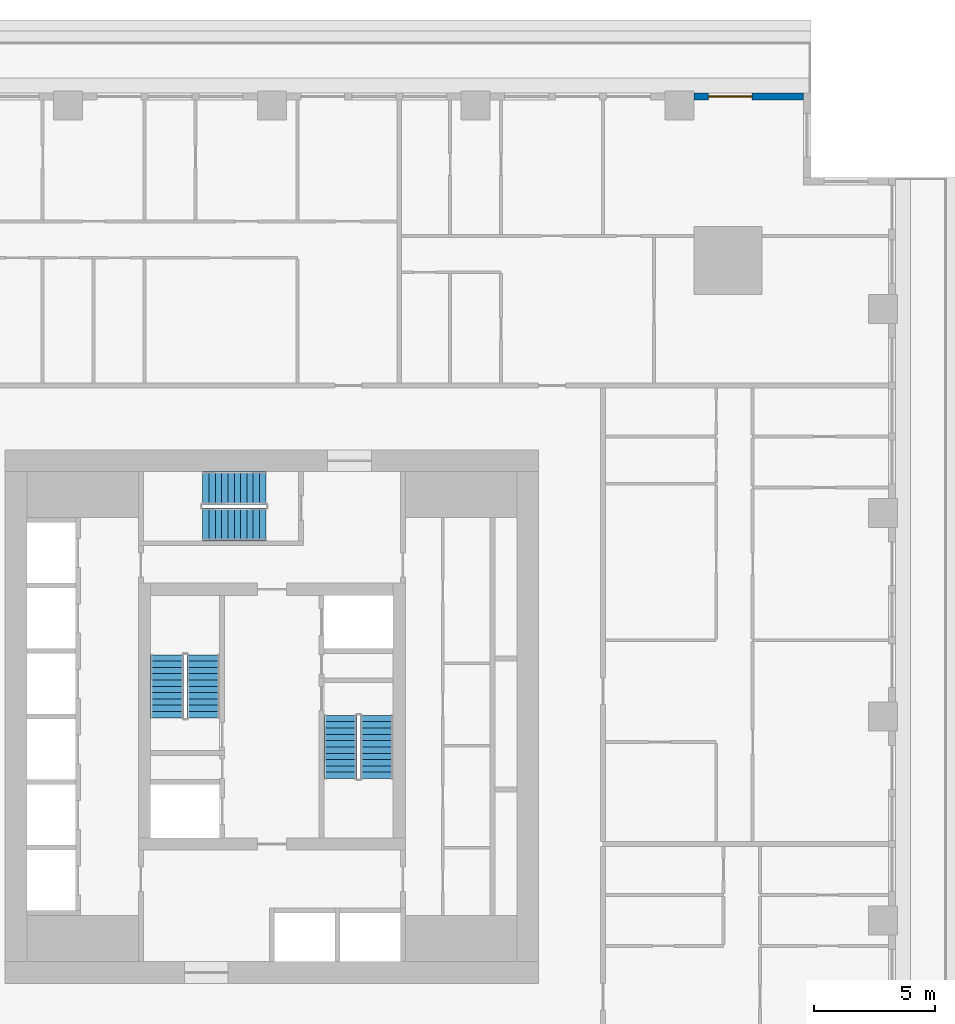
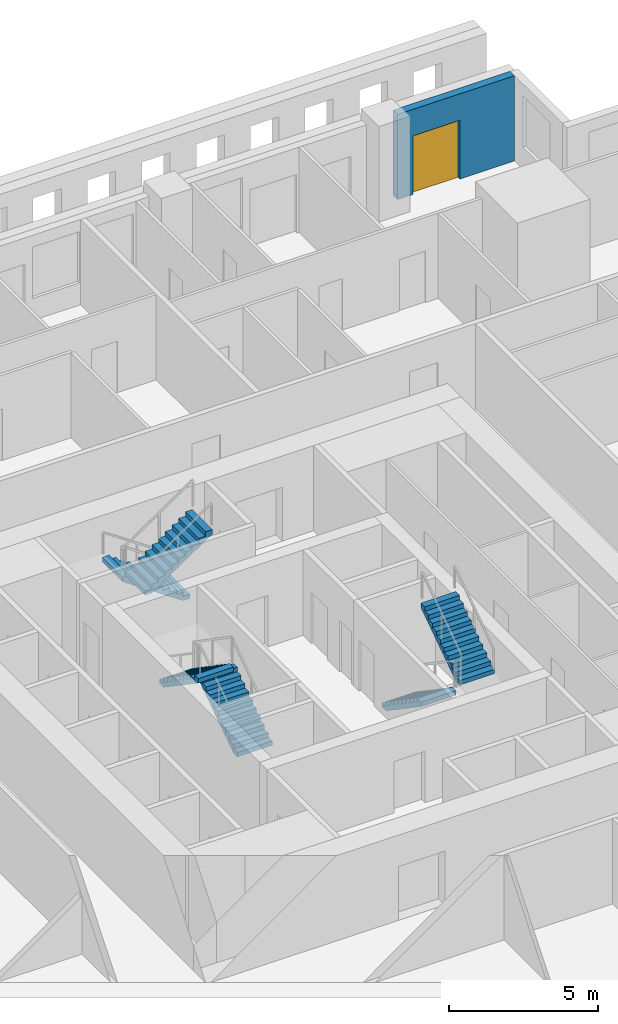
# One storey, part 10 of 15: 6 stair flights, 1 door, 1 wall, 1 opening, 3 elements without a shape of their own.
"""IFC4 building model written with IfcOpenShell, lengths in metres."""

import ifcopenshell
import ifcopenshell.guid

model = None  # the IFC model being written
_history = None  # IfcOwnerHistory: only IFC2X3 demands one
_inside = {}  # id of a spatial element -> (the spatial element, [elements in it])
_under = {}  # id of a project, library or spatial element -> (it, [spatial elements below it])
_declared = {}  # id of a project -> (the project, [libraries it declares])
_typed = {}  # id of a type object -> (the type object, [elements of that type])
_made_of = {}  # id of a material, layer set ... -> (it, [elements and type objects made of it])


def new_model(schema):
    """Start an empty IFC model of exactly this schema.

    Asked for "IFC4X3", IfcOpenShell would pick the latest addendum, in which some entities
    have other attributes; the version numbers below select the first issue.
    IFC2X3 requires an IfcOwnerHistory on every rooted entity: one is made here for all.
    """
    global model, _history
    if schema == "IFC4X3":
        model = ifcopenshell.file(schema_version=(4, 3, 0, 0))
    else:
        model = ifcopenshell.file(schema=schema)
    _inside.clear()
    _under.clear()
    _declared.clear()
    _typed.clear()
    _made_of.clear()
    _history = None
    if model.schema == "IFC2X3":
        org = make("IfcOrganization", Name="unknown")
        user = make(
            "IfcPersonAndOrganization",
            ThePerson=make("IfcPerson", FamilyName="unknown"),
            TheOrganization=org,
        )
        app = make(
            "IfcApplication",
            ApplicationDeveloper=org,
            Version="unknown",
            ApplicationFullName="unknown",
            ApplicationIdentifier="unknown",
        )
        _history = make(
            "IfcOwnerHistory",
            OwningUser=user,
            OwningApplication=app,
            ChangeAction="ADDED",
            CreationDate=0,
        )
    return model


def make(cls, **values):
    """One entity of the class cls with the attributes given. An attribute that is None is left unset."""
    return model.create_entity(
        cls, **{name: value for name, value in values.items() if value is not None}
    )


def rooted(cls, **values):
    """An entity with a GlobalId (a new one), such as an element, a storey or a relation."""
    return make(cls, GlobalId=ifcopenshell.guid.new(), OwnerHistory=_history, **values)


def si_unit(unit_type, name, prefix=None):
    """IfcSIUnit, for example si_unit("LENGTHUNIT", "METRE", prefix="MILLI")."""
    return make("IfcSIUnit", UnitType=unit_type, Prefix=prefix, Name=name)


def assignment(units):
    """IfcUnitAssignment: the units of a project."""
    return None if units is None else make("IfcUnitAssignment", Units=units)


def point(xyz):
    """IfcCartesianPoint."""
    return None if xyz is None else make("IfcCartesianPoint", Coordinates=xyz)


def direction(xyz):
    """IfcDirection."""
    return None if xyz is None else make("IfcDirection", DirectionRatios=xyz)


def frame(location, z_axis=None, x_axis=None):
    """IfcAxis2Placement3D, a coordinate frame: its origin and axes. An axis left out is left unset."""
    return make(
        "IfcAxis2Placement3D",
        Location=point(location),
        Axis=direction(z_axis),
        RefDirection=direction(x_axis),
    )


def frame_2d(location, x_axis=None):
    """IfcAxis2Placement2D, a coordinate frame in the plane: its origin and x axis."""
    return make(
        "IfcAxis2Placement2D", Location=point(location), RefDirection=direction(x_axis)
    )


def origin():
    """The frame at (0, 0, 0) with its axes left unset."""
    return frame((0.0, 0.0, 0.0))


def place(relative_to, where):
    """IfcLocalPlacement: puts the frame where relative to a parent placement (None: the world)."""
    return make(
        "IfcLocalPlacement", PlacementRelTo=relative_to, RelativePlacement=where
    )


def context(
    kind, dimensions, precision=None, world=None, true_north=None, identifier=None
):
    """IfcGeometricRepresentationContext, for example the 3D "Model" context."""
    return make(
        "IfcGeometricRepresentationContext",
        ContextIdentifier=identifier,
        ContextType=kind,
        CoordinateSpaceDimension=dimensions,
        Precision=precision,
        WorldCoordinateSystem=world,
        TrueNorth=true_north,
    )


def subcontext(parent, identifier, kind, view, scale=None):
    """IfcGeometricRepresentationSubContext, for example "Body" below "Model"."""
    return make(
        "IfcGeometricRepresentationSubContext",
        ContextIdentifier=identifier,
        ContextType=kind,
        ParentContext=parent,
        TargetScale=scale,
        TargetView=view,
    )


def project(units=None, contexts=None):
    """IfcProject with its units and contexts."""
    return rooted(
        "IfcProject",
        Name="project",
        RepresentationContexts=contexts,
        UnitsInContext=assignment(units),
    )


def spatial(cls, under=None, at=None, **own):
    """A site, building, storey or space (cls), placed at a placement, below another one or the project."""
    s = rooted(cls, ObjectPlacement=at, **own)
    if under is not None:
        _under.setdefault(under.id(), (under, []))[1].append(s)
    return s


def polyline(points):
    """IfcPolyline through the points."""
    return make("IfcPolyline", Points=[point(p) for p in points])


def profile(cls, at=None, kind="AREA", **sizes):
    """A parametric profile (cls). Its sizes go by their IFC names, for example OverallWidth=200.0."""
    return make(cls, ProfileType=kind, Position=at, **sizes)


def rectangle(**sizes):
    """IfcRectangleProfileDef."""
    return profile("IfcRectangleProfileDef", **sizes)


def outline(outer, holes=None, kind="AREA"):
    """IfcArbitraryClosedProfileDef: a profile drawn as a closed curve; with holes, ...WithVoids."""
    if holes is None:
        return make("IfcArbitraryClosedProfileDef", ProfileType=kind, OuterCurve=outer)
    return make(
        "IfcArbitraryProfileDefWithVoids",
        ProfileType=kind,
        OuterCurve=outer,
        InnerCurves=holes,
    )


def extrude(swept, where, along, depth):
    """IfcExtrudedAreaSolid: the profile swept, set in the frame where, extruded along a direction by depth."""
    return make(
        "IfcExtrudedAreaSolid",
        SweptArea=swept,
        Position=where,
        ExtrudedDirection=direction(along),
        Depth=depth,
    )


def shape(context_of_items, identifier, shape_type, items):
    """IfcShapeRepresentation: the items that make up one representation, for example the "Body"."""
    return make(
        "IfcShapeRepresentation",
        ContextOfItems=context_of_items,
        RepresentationIdentifier=identifier,
        RepresentationType=shape_type,
        Items=items,
    )


def material(Name=None, Category=None):
    """IfcMaterial."""
    return make("IfcMaterial", Name=Name, Category=Category)


def layer(
    of_material, thickness, ventilated=None, Name=None, Category=None, Priority=None
):
    """IfcMaterialLayer: one layer of a wall or slab, of a material (None: an air gap)."""
    return make(
        "IfcMaterialLayer",
        Material=of_material,
        LayerThickness=thickness,
        IsVentilated=ventilated,
        Name=Name,
        Category=Category,
        Priority=Priority,
    )


def layer_set(layers, Name=None):
    """IfcMaterialLayerSet."""
    return make("IfcMaterialLayerSet", MaterialLayers=layers, LayerSetName=Name)


def made_of(thing, what):
    """Note that an element or type object is made of a material, layer set ...; save() writes the relation."""
    if what is not None:
        _made_of.setdefault(what.id(), (what, []))[1].append(thing)
    return thing


def type_object(cls, material=None, **own):
    """A type object (cls), such as IfcWallType, which elements share."""
    return made_of(rooted(cls, **own), material)


def element(
    cls,
    number,
    at=None,
    inside=None,
    cuts=None,
    type_object=None,
    material=None,
    context=None,
    identifier="Body",
    shape_type=None,
    held_by="IfcProductDefinitionShape",
    body=None,
    shapes=None,
    **own,
):
    """One element of the class cls, such as IfcWall. Its Tag is "e" and its number.

    at: its placement. inside: the storey or other place that contains it. cuts: it is an
    opening in that element (IfcRelVoidsElement). A single representation is given by context,
    identifier, shape_type and body (its items); several are given by shapes. held_by: the class
    of the entity that holds the representations. save() writes the other relations.
    """
    e = rooted(cls, Tag="e%d" % number, ObjectPlacement=at, **own)
    if body is not None:
        shapes = [shape(context, identifier, shape_type, body)]
    if shapes is not None:
        e.Representation = make(held_by, Representations=shapes)
    if inside is not None:
        _inside.setdefault(inside.id(), (inside, []))[1].append(e)
    if cuts is not None:
        rooted(
            "IfcRelVoidsElement", RelatingBuildingElement=cuts, RelatedOpeningElement=e
        )
    if type_object is not None:
        _typed.setdefault(type_object.id(), (type_object, []))[1].append(e)
    return made_of(e, material)


def fill(opening, filler):
    """IfcRelFillsElement: the door or window that sits in an opening."""
    return rooted(
        "IfcRelFillsElement",
        RelatingOpeningElement=opening,
        RelatedBuildingElement=filler,
    )


def aggregate(whole, parts):
    """IfcRelAggregates: a whole, such as a stair, and the parts it consists of."""
    return rooted("IfcRelAggregates", RelatingObject=whole, RelatedObjects=parts)


def save(model, path):
    """Write the relations noted so far, then the file.

    IfcRelAggregates (storeys below a building ...), IfcRelContainedInSpatialStructure (elements
    in a storey), IfcRelDefinesByType, IfcRelAssociatesMaterial and IfcRelDeclares: one each for
    every whole, place, type object, material and project.
    """
    for whole, parts in _under.values():
        aggregate(whole, parts)
    for where, things in _inside.values():
        rooted(
            "IfcRelContainedInSpatialStructure",
            RelatedElements=things,
            RelatingStructure=where,
        )
    for kind, things in _typed.values():
        rooted("IfcRelDefinesByType", RelatedObjects=things, RelatingType=kind)
    for what, things in _made_of.values():
        rooted("IfcRelAssociatesMaterial", RelatedObjects=things, RelatingMaterial=what)
    for by, libraries in _declared.values():
        rooted("IfcRelDeclares", RelatingContext=by, RelatedDefinitions=libraries)
    model.write(path)


model = new_model("IFC4")

# Units and contexts
model_context = context("Model", 3, precision=1e-05, world=origin(), true_north=direction((0.0, 1.0)))
body_context = subcontext(model_context, "Body", "Model", "MODEL_VIEW")
ifc_project = project(units=[si_unit("LENGTHUNIT", "METRE"), si_unit("AREAUNIT", "SQUARE_METRE"), si_unit("VOLUMEUNIT", "CUBIC_METRE"), si_unit("PLANEANGLEUNIT", "RADIAN"), si_unit("MASSUNIT", "GRAM", prefix="KILO")], contexts=[model_context])

# Site, building, storey
site_placement = place(None, origin())
site = spatial("IfcSite", under=ifc_project, at=site_placement, CompositionType="ELEMENT")
building_placement = place(site_placement, origin())
building = spatial("IfcBuilding", under=site, at=building_placement, Name="Khepri Terraces", CompositionType="ELEMENT")
storey_placement = place(building_placement, frame((0.0, 0.0, 83.10009765625)))
storey = spatial("IfcBuildingStorey", under=building, at=storey_placement, Name="L19", CompositionType="ELEMENT", Elevation=83.10009765625)

# Wall, opening, door
ifc_material_1 = material(Name="Precast concrete C50/60 warm stone", Category="masonry")
ifc_layer = layer(ifc_material_1, 0.300048828125, Name="Precast concrete C50/60 warm stone", Category="masonry")
ifc_layer_set = layer_set([ifc_layer], Name="Precast concrete C50/60 warm stone")
wall_type = type_object("IfcWallType", Name="WL-EXT-PRECAST-300", PredefinedType="STANDARD", material=ifc_layer_set)
wall_placement = place(storey_placement, frame((21.919921875, 25.570068359375, 0.0), z_axis=(0.0, 0.0, 1.0), x_axis=(-1.0, 0.0, 0.0)))
wall = element("IfcWall", 1, at=wall_placement, inside=storey, type_object=wall_type, Name="External wall L19 N", PredefinedType="STANDARD", context=body_context, shape_type="SweptSolid", body=[
    extrude(rectangle(XDim=4.52001953125, YDim=0.300048828125, at=frame_2d((2.260009765625, 0.0))), origin(), (0.0, 0.0, 1.0), 3.47998046875),
])
opening_placement = place(wall_placement, frame((2.1201171875, 0.0, 0.0)))
opening = element("IfcOpeningElement", 2, at=opening_placement, cuts=wall, Name="Opening ED-L19-08", PredefinedType="OPENING", context=body_context, shape_type="SweptSolid", body=[
    extrude(rectangle(XDim=1.800048828125, YDim=2.39990234375, at=frame_2d((0.89990234375, 1.199951171875))), frame((0.0, 0.16015625, 0.0), z_axis=(0.0, -1.0, 0.0), x_axis=(1.0, 0.0, 0.0)), (0.0, 0.0, 1.0), 0.320068359375),
])
ifc_material_2 = material(Name="Anodised aluminium bronze glazed door", Category="aluminium")
door_type = type_object("IfcDoorType", Name="DR-BAL-SLIDE-1800x2400", OperationType="NOTDEFINED", PredefinedType="DOOR", material=ifc_material_2)
door_placement = place(opening_placement, origin())
door = element("IfcDoor", 3, at=door_placement, inside=storey, type_object=door_type, Name="Balcony door L19 N", OperationType="SLIDING_TO_RIGHT", OverallHeight=2.39990234375, OverallWidth=1.800048828125, PredefinedType="DOOR", context=body_context, shape_type="SweptSolid", body=[
    extrude(rectangle(XDim=1.800048828125, YDim=2.39990234375, at=frame_2d((0.89990234375, 1.199951171875))), frame((0.0, 0.02490234375, 0.0), z_axis=(0.0, -1.0, 0.0), x_axis=(1.0, 0.0, 0.0)), (0.0, 0.0, 1.0), 0.050048828125),
])
fill(opening, door)

# Stair, stair flights
ifc_material_3 = material(Name="Concrete C40/50", Category="concrete")
stair_type = type_object("IfcStairType", Name="STAIR-RC-22R", PredefinedType="HALF_TURN_STAIR", material=ifc_material_3)
stair_1_placement = place(storey_placement, origin())
stair_1 = element("IfcStair", 4, at=stair_1_placement, inside=storey, type_object=stair_type, Name="L19 Exit Stair ST-1", PredefinedType="HALF_TURN_STAIR")
stair_flight_type = type_object("IfcStairFlightType", Name="SFL-RC-177.3", PredefinedType="STRAIGHT", material=ifc_material_3)
stair_flight_1_placement = place(storey_placement, frame((-2.824951171875, -0.050048828125, 0.0), z_axis=(0.0, 0.0, 1.0), x_axis=(0.0, 1.0, 0.0)))
stair_flight_1 = element("IfcStairFlight", 5, at=stair_flight_1_placement, type_object=stair_flight_type, Name="ST-1 flight 1", NumberOfRisers=11, NumberOfTreads=10, PredefinedType="STRAIGHT", RiserHeight=0.177272727, TreadLength=0.26, context=body_context, shape_type="SweptSolid", body=[
    extrude(outline(polyline([(0.0, 0.0), (0.0, 0.17724609375), (0.260009765625, 0.17724609375), (0.260009765625, 0.3544921875), (0.52001953125, 0.3544921875), (0.52001953125, 0.53173828125), (0.780029296875, 0.53173828125), (0.780029296875, 0.708984375), (1.0400390625, 0.708984375), (1.0400390625, 0.886474609375), (1.300048828125, 0.886474609375), (1.300048828125, 1.063720703125), (1.56005859375, 1.063720703125), (1.56005859375, 1.240966796875), (1.820068359375, 1.240966796875), (1.820068359375, 1.418212890625), (2.080078125, 1.418212890625), (2.080078125, 1.595458984375), (2.340087890625, 1.595458984375), (2.340087890625, 1.772705078125), (2.60009765625, 1.772705078125), (2.60009765625, 1.949951171875), (2.60009765625, 1.59130859375), (0.26611328125, 0.0), (0.0, 0.0)])), frame((0.0, 0.675048828125, 0.0), z_axis=(0.0, -1.0, 0.0), x_axis=(1.0, 0.0, 0.0)), (0.0, 0.0, 1.0), 1.35009765625),
])
stair_flight_2_placement = place(storey_placement, frame((-4.324951171875, 2.550048828125, 1.949951171875), z_axis=(0.0, 0.0, 1.0), x_axis=(0.0, -1.0, 0.0)))
stair_flight_2 = element("IfcStairFlight", 6, at=stair_flight_2_placement, type_object=stair_flight_type, Name="ST-1 flight 2", NumberOfRisers=11, NumberOfTreads=10, PredefinedType="STRAIGHT", RiserHeight=0.177272727, TreadLength=0.26, context=body_context, shape_type="SweptSolid", body=[
    extrude(outline(polyline([(0.0, 0.0), (0.0, 0.17724609375), (0.260009765625, 0.17724609375), (0.260009765625, 0.3544921875), (0.52001953125, 0.3544921875), (0.52001953125, 0.53173828125), (0.780029296875, 0.53173828125), (0.780029296875, 0.708984375), (1.0400390625, 0.708984375), (1.0400390625, 0.886474609375), (1.300048828125, 0.886474609375), (1.300048828125, 1.063720703125), (1.56005859375, 1.063720703125), (1.56005859375, 1.240966796875), (1.820068359375, 1.240966796875), (1.820068359375, 1.418212890625), (2.080078125, 1.418212890625), (2.080078125, 1.595458984375), (2.340087890625, 1.595458984375), (2.340087890625, 1.772705078125), (2.60009765625, 1.772705078125), (2.60009765625, 1.949951171875), (2.60009765625, 1.59130859375), (0.26611328125, 0.0), (0.0, 0.0)])), frame((0.0, 0.675048828125, 0.0), z_axis=(0.0, -1.0, 0.0), x_axis=(1.0, 0.0, 0.0)), (0.0, 0.0, 1.0), 1.35009765625),
])
aggregate(stair_1, [stair_flight_1, stair_flight_2])

stair_2_placement = place(storey_placement, origin())
stair_2 = element("IfcStair", 7, at=stair_2_placement, inside=storey, type_object=stair_type, Name="L19 Exit Stair ST-2", PredefinedType="HALF_TURN_STAIR")
stair_flight_3_placement = place(storey_placement, frame((2.824951171875, 0.050048828125, 0.0), z_axis=(0.0, 0.0, 1.0), x_axis=(0.0, -1.0, 0.0)))
stair_flight_3 = element("IfcStairFlight", 8, at=stair_flight_3_placement, type_object=stair_flight_type, Name="ST-2 flight 1", NumberOfRisers=11, NumberOfTreads=10, PredefinedType="STRAIGHT", RiserHeight=0.177272727, TreadLength=0.26, context=body_context, shape_type="SweptSolid", body=[
    extrude(outline(polyline([(0.0, 0.0), (0.0, 0.17724609375), (0.260009765625, 0.17724609375), (0.260009765625, 0.3544921875), (0.52001953125, 0.3544921875), (0.52001953125, 0.53173828125), (0.780029296875, 0.53173828125), (0.780029296875, 0.708984375), (1.0400390625, 0.708984375), (1.0400390625, 0.886474609375), (1.300048828125, 0.886474609375), (1.300048828125, 1.063720703125), (1.56005859375, 1.063720703125), (1.56005859375, 1.240966796875), (1.820068359375, 1.240966796875), (1.820068359375, 1.418212890625), (2.080078125, 1.418212890625), (2.080078125, 1.595458984375), (2.340087890625, 1.595458984375), (2.340087890625, 1.772705078125), (2.60009765625, 1.772705078125), (2.60009765625, 1.949951171875), (2.60009765625, 1.59130859375), (0.26611328125, 0.0), (0.0, 0.0)])), frame((0.0, 0.675048828125, 0.0), z_axis=(0.0, -1.0, 0.0), x_axis=(1.0, 0.0, 0.0)), (0.0, 0.0, 1.0), 1.35009765625),
])
stair_flight_4_placement = place(storey_placement, frame((4.324951171875, -2.550048828125, 1.949951171875), z_axis=(0.0, 0.0, 1.0), x_axis=(0.0, 1.0, 0.0)))
stair_flight_4 = element("IfcStairFlight", 9, at=stair_flight_4_placement, type_object=stair_flight_type, Name="ST-2 flight 2", NumberOfRisers=11, NumberOfTreads=10, PredefinedType="STRAIGHT", RiserHeight=0.177272727, TreadLength=0.26, context=body_context, shape_type="SweptSolid", body=[
    extrude(outline(polyline([(0.0, 0.0), (0.0, 0.17724609375), (0.260009765625, 0.17724609375), (0.260009765625, 0.3544921875), (0.52001953125, 0.3544921875), (0.52001953125, 0.53173828125), (0.780029296875, 0.53173828125), (0.780029296875, 0.708984375), (1.0400390625, 0.708984375), (1.0400390625, 0.886474609375), (1.300048828125, 0.886474609375), (1.300048828125, 1.063720703125), (1.56005859375, 1.063720703125), (1.56005859375, 1.240966796875), (1.820068359375, 1.240966796875), (1.820068359375, 1.418212890625), (2.080078125, 1.418212890625), (2.080078125, 1.595458984375), (2.340087890625, 1.595458984375), (2.340087890625, 1.772705078125), (2.60009765625, 1.772705078125), (2.60009765625, 1.949951171875), (2.60009765625, 1.59130859375), (0.26611328125, 0.0), (0.0, 0.0)])), frame((0.0, 0.675048828125, 0.0), z_axis=(0.0, -1.0, 0.0), x_axis=(1.0, 0.0, 0.0)), (0.0, 0.0, 1.0), 1.35009765625),
])
aggregate(stair_2, [stair_flight_3, stair_flight_4])

stair_3_placement = place(storey_placement, origin())
stair_3 = element("IfcStair", 10, at=stair_3_placement, inside=storey, type_object=stair_type, Name="L19 Exit Stair ST-3", PredefinedType="HALF_TURN_STAIR")
stair_flight_5_placement = place(storey_placement, frame((-0.25, 9.425048828125, 0.0), z_axis=(0.0, 0.0, 1.0), x_axis=(-1.0, 0.0, 0.0)))
stair_flight_5 = element("IfcStairFlight", 11, at=stair_flight_5_placement, type_object=stair_flight_type, Name="ST-3 flight 1", NumberOfRisers=11, NumberOfTreads=10, PredefinedType="STRAIGHT", RiserHeight=0.177272727, TreadLength=0.26, context=body_context, shape_type="SweptSolid", body=[
    extrude(outline(polyline([(0.0, 0.0), (0.0, 0.17724609375), (0.260009765625, 0.17724609375), (0.260009765625, 0.3544921875), (0.52001953125, 0.3544921875), (0.52001953125, 0.53173828125), (0.780029296875, 0.53173828125), (0.780029296875, 0.708984375), (1.0400390625, 0.708984375), (1.0400390625, 0.886474609375), (1.300048828125, 0.886474609375), (1.300048828125, 1.063720703125), (1.56005859375, 1.063720703125), (1.56005859375, 1.240966796875), (1.820068359375, 1.240966796875), (1.820068359375, 1.418212890625), (2.080078125, 1.418212890625), (2.080078125, 1.595458984375), (2.340087890625, 1.595458984375), (2.340087890625, 1.772705078125), (2.60009765625, 1.772705078125), (2.60009765625, 1.949951171875), (2.60009765625, 1.59130859375), (0.26611328125, 0.0), (0.0, 0.0)])), frame((0.0, 0.675048828125, 0.0), z_axis=(0.0, -1.0, 0.0), x_axis=(1.0, 0.0, 0.0)), (0.0, 0.0, 1.0), 1.35009765625),
])
stair_flight_6_placement = place(storey_placement, frame((-2.85009765625, 7.925048828125, 1.949951171875), z_axis=(0.0, 0.0, 1.0), x_axis=(1.0, 0.0, 0.0)))
stair_flight_6 = element("IfcStairFlight", 12, at=stair_flight_6_placement, type_object=stair_flight_type, Name="ST-3 flight 2", NumberOfRisers=11, NumberOfTreads=10, PredefinedType="STRAIGHT", RiserHeight=0.177272727, TreadLength=0.26, context=body_context, shape_type="SweptSolid", body=[
    extrude(outline(polyline([(0.0, 0.0), (0.0, 0.17724609375), (0.260009765625, 0.17724609375), (0.260009765625, 0.3544921875), (0.52001953125, 0.3544921875), (0.52001953125, 0.53173828125), (0.780029296875, 0.53173828125), (0.780029296875, 0.708984375), (1.0400390625, 0.708984375), (1.0400390625, 0.886474609375), (1.300048828125, 0.886474609375), (1.300048828125, 1.063720703125), (1.56005859375, 1.063720703125), (1.56005859375, 1.240966796875), (1.820068359375, 1.240966796875), (1.820068359375, 1.418212890625), (2.080078125, 1.418212890625), (2.080078125, 1.595458984375), (2.340087890625, 1.595458984375), (2.340087890625, 1.772705078125), (2.60009765625, 1.772705078125), (2.60009765625, 1.949951171875), (2.60009765625, 1.59130859375), (0.26611328125, 0.0), (0.0, 0.0)])), frame((0.0, 0.675048828125, 0.0), z_axis=(0.0, -1.0, 0.0), x_axis=(1.0, 0.0, 0.0)), (0.0, 0.0, 1.0), 1.35009765625),
])
aggregate(stair_3, [stair_flight_5, stair_flight_6])

save(model, "model.ifc")
